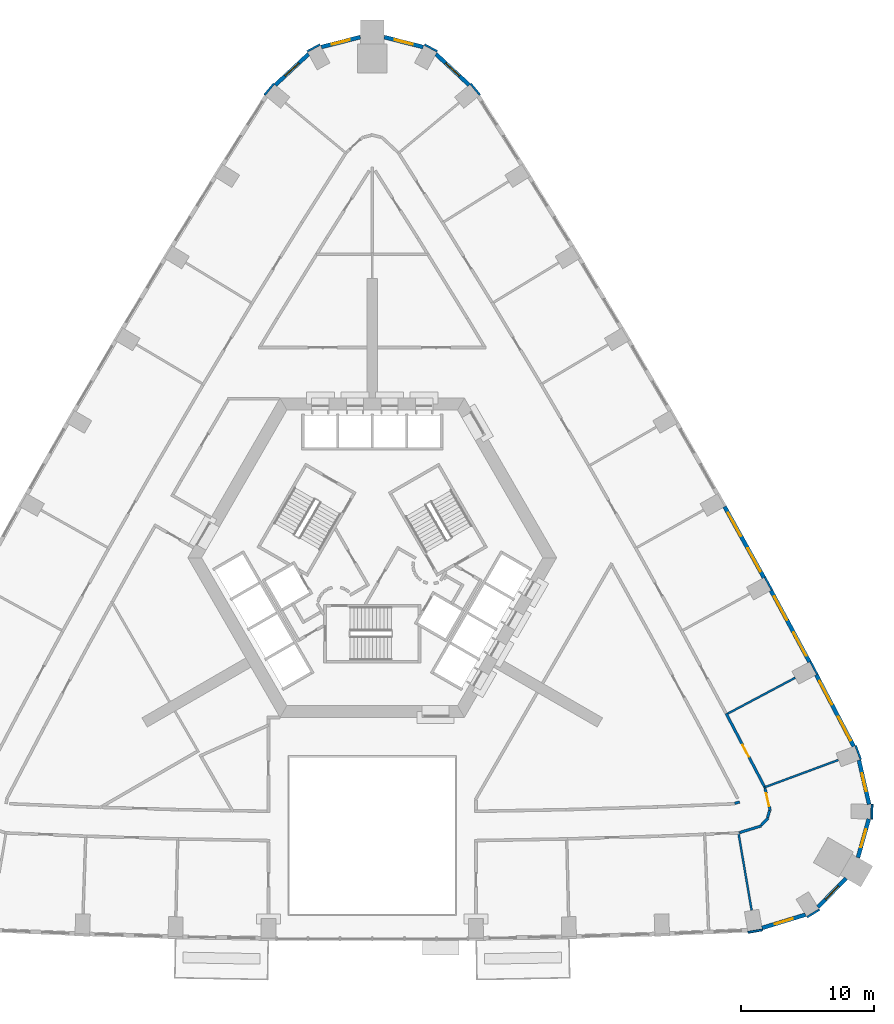
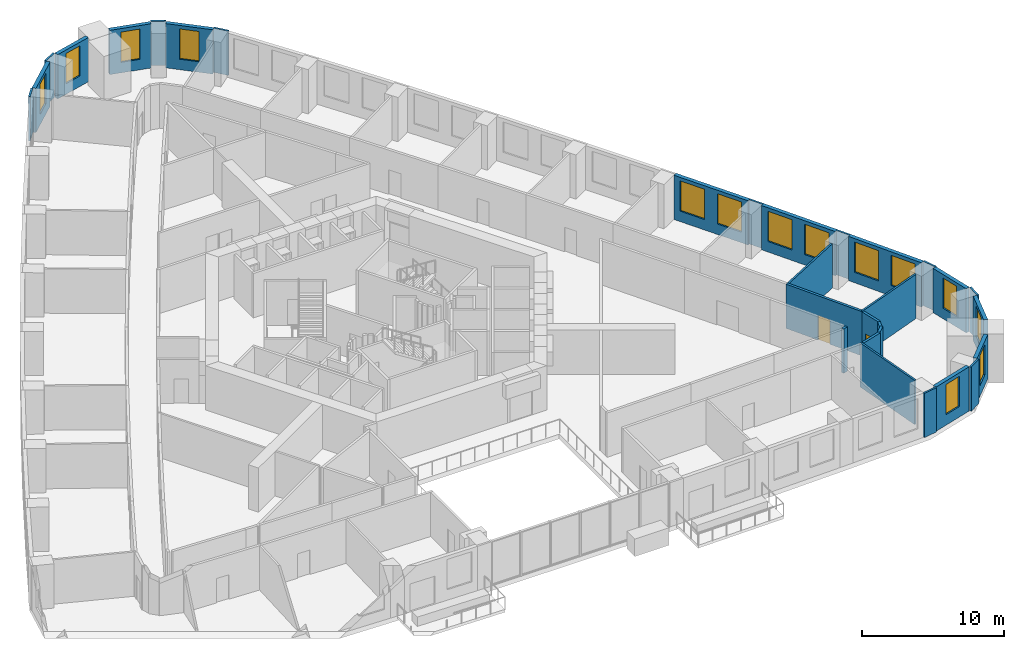
# One storey, part 11 of 13: 30 walls, 14 windows, 2 doors, 16 openings.
"""IFC4 building model written with IfcOpenShell, lengths in metres."""

from ifc_helpers import new_model, si_unit, direction, frame, frame_2d, origin, place, context, subcontext, project, spatial, rectangle, extrude, material, layer, layer_set, type_object, element, fill, save


model = new_model("IFC4")

# Units and contexts
model_context = context("Model", 3, precision=1e-05, world=origin(), true_north=direction((0.0, 1.0)))
body_context = subcontext(model_context, "Body", "Model", "MODEL_VIEW")
ifc_project = project(units=[si_unit("LENGTHUNIT", "METRE"), si_unit("AREAUNIT", "SQUARE_METRE"), si_unit("VOLUMEUNIT", "CUBIC_METRE"), si_unit("PLANEANGLEUNIT", "RADIAN"), si_unit("MASSUNIT", "GRAM", prefix="KILO")], contexts=[model_context])

# Site, building, storey
site_placement = place(None, origin())
site = spatial("IfcSite", under=ifc_project, at=site_placement, CompositionType="ELEMENT")
building_placement = place(site_placement, origin())
building = spatial("IfcBuilding", under=site, at=building_placement, Name="Entoto Arch Interchange Tower", CompositionType="ELEMENT")
storey_placement = place(building_placement, frame((0.0, 0.0, 90.800048828125)))
storey = spatial("IfcBuildingStorey", under=building, at=storey_placement, Name="L19", CompositionType="ELEMENT", Elevation=90.800048828125)

# Walls
ifc_material_1 = material(Name="Gypsum board partition on steel studs", Category="steel")
ifc_layer_1 = layer(ifc_material_1, 0.14990234375)
ifc_layer_set_1 = layer_set([ifc_layer_1], Name="Gypsum board partition on steel studs")
wall_type_1 = type_object("IfcWallType", Name="PARTITION 150", PredefinedType="PARTITIONING", material=ifc_layer_set_1)
wall_1_placement = place(storey_placement, frame((27.49609375, -18.073974609375, 0.0), z_axis=(0.0, 0.0, 1.0), x_axis=(0.168025125373, -0.985782712997, 0.0)))
element("IfcWall", 1, at=wall_1_placement, inside=storey, type_object=wall_type_1, Name="wall:L19:p113", PredefinedType="PARTITIONING", context=body_context, shape_type="SweptSolid", body=[
    extrude(rectangle(XDim=5.9921875, YDim=0.14990234375, at=frame_2d((2.99609375, 0.0))), origin(), (0.0, 0.0, 1.0), 3.800048828125),
])
wall_2_placement = place(storey_placement, frame((29.493896484375, -14.740966796875, 0.0), z_axis=(0.0, 0.0, 1.0), x_axis=(0.937719767819, 0.347392626636, 0.0)))
element("IfcWall", 2, at=wall_2_placement, inside=storey, type_object=wall_type_1, Name="wall:L19:p114", PredefinedType="PARTITIONING", context=body_context, shape_type="SweptSolid", body=[
    extrude(rectangle(XDim=5.89208984375, YDim=0.14990234375, at=frame_2d((2.946044921875, 0.0))), origin(), (0.0, 0.0, 1.0), 3.800048828125),
])
wall_3_placement = place(storey_placement, frame((26.708984375, -9.2109375, 0.0), z_axis=(0.0, 0.0, 1.0), x_axis=(0.883057238515, 0.46926529118, 0.0)))
element("IfcWall", 3, at=wall_3_placement, inside=storey, type_object=wall_type_1, Name="wall:L19:p115", PredefinedType="PARTITIONING", context=body_context, shape_type="SweptSolid", body=[
    extrude(rectangle(XDim=5.730224609375, YDim=0.14990234375, at=frame_2d((2.865234375, 0.0))), origin(), (0.0, 0.0, 1.0), 3.800048828125),
])
ifc_layer_2 = layer(ifc_material_1, 0.199951171875)
ifc_layer_set_2 = layer_set([ifc_layer_2], Name="Gypsum board partition on steel studs")
wall_type_2 = type_object("IfcWallType", Name="PARTITION 200", PredefinedType="PARTITIONING", material=ifc_layer_set_2)
wall_4_placement = place(storey_placement, frame((27.235107421875, -15.95703125, 0.0), z_axis=(0.0, 0.0, 1.0), x_axis=(0.956017741345, 0.293308844453, 0.0)))
element("IfcWall", 4, at=wall_4_placement, inside=storey, type_object=wall_type_2, Name="wall:L19:p015", PredefinedType="PARTITIONING", context=body_context, shape_type="SweptSolid", body=[
    extrude(rectangle(XDim=0.37548828125, YDim=0.199951171875, at=frame_2d((0.187744140625, 0.0))), origin(), (0.0, 0.0, 1.0), 3.800048828125),
])

# Wall, opening, door
wall_5_placement = place(storey_placement, frame((29.51708984375, -14.837890625, 0.0), z_axis=(0.0, 0.0, 1.0), x_axis=(0.224316169854, -0.974516421587, 0.0)))
wall_5 = element("IfcWall", 5, at=wall_5_placement, inside=storey, type_object=wall_type_2, Name="wall:L19:p035", PredefinedType="PARTITIONING", context=body_context, shape_type="SweptSolid", body=[
    extrude(rectangle(XDim=1.70654296875, YDim=0.199951171875, at=frame_2d((0.853271484375, 0.0))), origin(), (0.0, 0.0, 1.0), 3.800048828125),
])
opening_1_placement = place(wall_5_placement, frame((0.35302734375, 0.0, 0.0)))
opening_1 = element("IfcOpeningElement", 6, at=opening_1_placement, cuts=wall_5, Name="Opening L19-D04", PredefinedType="OPENING", context=body_context, shape_type="SweptSolid", body=[
    extrude(rectangle(XDim=1.0, YDim=2.10009765625, at=frame_2d((0.5, 1.050048828125))), frame((0.0, 0.10986328125, 0.0), z_axis=(0.0, -1.0, 0.0), x_axis=(1.0, 0.0, 0.0)), (0.0, 0.0, 1.0), 0.219970703125),
])
ifc_material_2 = material(Name="Timber door leaf in Steel S235 frame", Category="steel")
door_type = type_object("IfcDoorType", Name="DOOR DS-10 1000x2100", OperationType="SINGLE_SWING_LEFT", PredefinedType="DOOR", material=ifc_material_2)
door_1_placement = place(opening_1_placement, origin())
door_1 = element("IfcDoor", 7, at=door_1_placement, inside=storey, type_object=door_type, Name="door:L19:04", OperationType="SINGLE_SWING_RIGHT", OverallHeight=2.10009765625, OverallWidth=1.0, PredefinedType="DOOR", context=body_context, shape_type="SweptSolid", body=[
    extrude(rectangle(XDim=1.0, YDim=2.10009765625, at=frame_2d((0.5, 1.050048828125))), frame((0.0, 0.02490234375, 0.0), z_axis=(0.0, -1.0, 0.0), x_axis=(1.0, 0.0, 0.0)), (0.0, 0.0, 1.0), 0.050048828125),
])
fill(opening_1, door_1)

# Walls
wall_6_placement = place(storey_placement, frame((29.85107421875, -16.5, 0.0), z_axis=(0.0, 0.0, 1.0), x_axis=(-0.269792639482, -0.962918444979, 0.0)))
element("IfcWall", 8, at=wall_6_placement, inside=storey, type_object=wall_type_2, Name="wall:L19:p036", PredefinedType="PARTITIONING", context=body_context, shape_type="SweptSolid", body=[
    extrude(rectangle(XDim=0.556640625, YDim=0.199951171875, at=frame_2d((0.2783203125, 0.0))), origin(), (0.0, 0.0, 1.0), 3.800048828125),
])
wall_7_placement = place(storey_placement, frame((29.742919921875, -17.06103515625, 0.0), z_axis=(0.0, 0.0, 1.0), x_axis=(-0.698331924638, -0.715774072617, 0.0)))
element("IfcWall", 9, at=wall_7_placement, inside=storey, type_object=wall_type_2, Name="wall:L19:p037", PredefinedType="PARTITIONING", context=body_context, shape_type="SweptSolid", body=[
    extrude(rectangle(XDim=0.755859375, YDim=0.199951171875, at=frame_2d((0.3779296875, 0.0))), origin(), (0.0, 0.0, 1.0), 3.800048828125),
])
wall_8_placement = place(storey_placement, frame((29.239990234375, -17.64404296875, 0.0), z_axis=(0.0, 0.0, 1.0), x_axis=(-0.956137025409, -0.292919764852, 0.0)))
element("IfcWall", 10, at=wall_8_placement, inside=storey, type_object=wall_type_2, Name="wall:L19:p038", PredefinedType="PARTITIONING", context=body_context, shape_type="SweptSolid", body=[
    extrude(rectangle(XDim=1.70703125, YDim=0.199951171875, at=frame_2d((0.853515625, 0.0))), origin(), (0.0, 0.0, 1.0), 3.800048828125),
])

# Wall, opening, door
wall_9_placement = place(storey_placement, frame((26.5859375, -9.19091796875, 0.0), z_axis=(0.0, 0.0, 1.0), x_axis=(0.46422194761, -0.885718907643, 0.0)))
wall_9 = element("IfcWall", 11, at=wall_9_placement, inside=storey, type_object=wall_type_2, Name="wall:L19:p039", PredefinedType="PARTITIONING", context=body_context, shape_type="SweptSolid", body=[
    extrude(rectangle(XDim=6.36572265625, YDim=0.199951171875, at=frame_2d((3.182861328125, 0.0))), origin(), (0.0, 0.0, 1.0), 3.800048828125),
])
opening_2_placement = place(wall_9_placement, frame((2.68310546875, 0.0, 0.0)))
opening_2 = element("IfcOpeningElement", 12, at=opening_2_placement, cuts=wall_9, Name="Opening L19-D05", PredefinedType="OPENING", context=body_context, shape_type="SweptSolid", body=[
    extrude(rectangle(XDim=1.0, YDim=2.10009765625, at=frame_2d((0.5, 1.050048828125))), frame((0.0, 0.10986328125, 0.0), z_axis=(0.0, -1.0, 0.0), x_axis=(1.0, 0.0, 0.0)), (0.0, 0.0, 1.0), 0.219970703125),
])
door_2_placement = place(opening_2_placement, origin())
door_2 = element("IfcDoor", 13, at=door_2_placement, inside=storey, type_object=door_type, Name="door:L19:05", OperationType="SINGLE_SWING_LEFT", OverallHeight=2.10009765625, OverallWidth=1.0, PredefinedType="DOOR", context=body_context, shape_type="SweptSolid", body=[
    extrude(rectangle(XDim=1.0, YDim=2.10009765625, at=frame_2d((0.5, 1.050048828125))), frame((0.0, 0.02490234375, 0.0), z_axis=(0.0, -1.0, 0.0), x_axis=(1.0, 0.0, 0.0)), (0.0, 0.0, 1.0), 0.050048828125),
])
fill(opening_2, door_2)

# Wall, opening, window
ifc_material_3 = material(Name="Welded tuff (ignimbrite) cladding, warm buff", Category="masonry")
ifc_layer_3 = layer(ifc_material_3, 0.300048828125)
ifc_layer_set_3 = layer_set([ifc_layer_3], Name="Welded tuff (ignimbrite) cladding, warm buff")
wall_type_3 = type_object("IfcWallType", Name="STONE INFILL WALL 300", PredefinedType="STANDARD", material=ifc_layer_set_3)
wall_10_placement = place(storey_placement, frame((29.2880859375, -25.31591796875, 0.0), z_axis=(0.0, 0.0, 1.0), x_axis=(0.956317661006, 0.292329490895, 0.0)))
wall_10 = element("IfcWall", 14, at=wall_10_placement, inside=storey, type_object=wall_type_3, Name="Facade wall SE-01 L19", PredefinedType="STANDARD", context=body_context, shape_type="SweptSolid", body=[
    extrude(rectangle(XDim=3.409912109375, YDim=0.300048828125, at=frame_2d((1.705078125, 0.0))), origin(), (0.0, 0.0, 1.0), 3.800048828125),
])
opening_3_placement = place(wall_10_placement, frame((1.0048828125, 0.0, 0.89990234375)))
opening_3 = element("IfcOpeningElement", 15, at=opening_3_placement, cuts=wall_10, Name="Opening WO-B", PredefinedType="OPENING", context=body_context, shape_type="SweptSolid", body=[
    extrude(rectangle(XDim=1.39990234375, YDim=2.60009765625, at=frame_2d((0.699951171875, 1.300048828125))), frame((0.0, 0.16015625, 0.0), z_axis=(0.0, -1.0, 0.0), x_axis=(1.0, 0.0, 0.0)), (0.0, 0.0, 1.0), 0.320068359375),
])
ifc_material_4 = material(Name="Clear glass, low-e double glazed", Category="glass")
window_type_1 = type_object("IfcWindowType", Name="WINDOW WO-B 1400x2600", PartitioningType="DOUBLE_PANEL_VERTICAL", PredefinedType="WINDOW", material=ifc_material_4)
window_1_placement = place(opening_3_placement, origin())
window_1 = element("IfcWindow", 16, at=window_1_placement, inside=storey, type_object=window_type_1, Name="Window WO-B SE-01 L19", OverallHeight=2.60009765625, OverallWidth=1.39990234375, PartitioningType="SINGLE_PANEL", PredefinedType="WINDOW", context=body_context, shape_type="SweptSolid", body=[
    extrude(rectangle(XDim=1.39990234375, YDim=2.60009765625, at=frame_2d((0.699951171875, 1.300048828125))), frame((0.0, 0.030029296875, 0.0), z_axis=(0.0, -1.0, 0.0), x_axis=(1.0, 0.0, 0.0)), (0.0, 0.0, 1.0), 0.06005859375),
])
fill(opening_3, window_1)

wall_11_placement = place(storey_placement, frame((33.486083984375, -23.7470703125, 0.0), z_axis=(0.0, 0.0, 1.0), x_axis=(0.698928244773, 0.715191798512, 0.0)))
wall_11 = element("IfcWall", 17, at=wall_11_placement, inside=storey, type_object=wall_type_3, Name="Facade wall SE-02 L19", PredefinedType="STANDARD", context=body_context, shape_type="SweptSolid", body=[
    extrude(rectangle(XDim=3.017333984375, YDim=0.300048828125, at=frame_2d((1.5087890625, 0.0))), origin(), (0.0, 0.0, 1.0), 3.800048828125),
])
opening_4_placement = place(wall_11_placement, frame((0.80908203125, 0.0, 0.89990234375)))
opening_4 = element("IfcOpeningElement", 18, at=opening_4_placement, cuts=wall_11, Name="Opening WO-B", PredefinedType="OPENING", context=body_context, shape_type="SweptSolid", body=[
    extrude(rectangle(XDim=1.39990234375, YDim=2.60009765625, at=frame_2d((0.699951171875, 1.300048828125))), frame((0.0, 0.16015625, 0.0), z_axis=(0.0, -1.0, 0.0), x_axis=(1.0, 0.0, 0.0)), (0.0, 0.0, 1.0), 0.320068359375),
])
window_2_placement = place(opening_4_placement, origin())
window_2 = element("IfcWindow", 19, at=window_2_placement, inside=storey, type_object=window_type_1, Name="Window WO-B SE-02 L19", OverallHeight=2.60009765625, OverallWidth=1.39990234375, PartitioningType="SINGLE_PANEL", PredefinedType="WINDOW", context=body_context, shape_type="SweptSolid", body=[
    extrude(rectangle(XDim=1.39990234375, YDim=2.60009765625, at=frame_2d((0.699951171875, 1.300048828125))), frame((0.0, 0.030029296875, 0.0), z_axis=(0.0, -1.0, 0.0), x_axis=(1.0, 0.0, 0.0)), (0.0, 0.0, 1.0), 0.06005859375),
])
fill(opening_4, window_2)

wall_12_placement = place(storey_placement, frame((36.493896484375, -20.031982421875, 0.0), z_axis=(0.0, 0.0, 1.0), x_axis=(0.270176120308, 0.962810918102, 0.0)))
wall_12 = element("IfcWall", 20, at=wall_12_placement, inside=storey, type_object=wall_type_3, Name="Facade wall SE-03 L19", PredefinedType="STANDARD", context=body_context, shape_type="SweptSolid", body=[
    extrude(rectangle(XDim=3.017333984375, YDim=0.300048828125, at=frame_2d((1.5087890625, 0.0))), origin(), (0.0, 0.0, 1.0), 3.800048828125),
])
opening_5_placement = place(wall_12_placement, frame((0.80908203125, 0.0, 0.89990234375)))
opening_5 = element("IfcOpeningElement", 21, at=opening_5_placement, cuts=wall_12, Name="Opening WO-B", PredefinedType="OPENING", context=body_context, shape_type="SweptSolid", body=[
    extrude(rectangle(XDim=1.39990234375, YDim=2.60009765625, at=frame_2d((0.699951171875, 1.300048828125))), frame((0.0, 0.16015625, 0.0), z_axis=(0.0, -1.0, 0.0), x_axis=(1.0, 0.0, 0.0)), (0.0, 0.0, 1.0), 0.320068359375),
])
window_3_placement = place(opening_5_placement, origin())
window_3 = element("IfcWindow", 22, at=window_3_placement, inside=storey, type_object=window_type_1, Name="Window WO-B SE-03 L19", OverallHeight=2.60009765625, OverallWidth=1.39990234375, PartitioningType="SINGLE_PANEL", PredefinedType="WINDOW", context=body_context, shape_type="SweptSolid", body=[
    extrude(rectangle(XDim=1.39990234375, YDim=2.60009765625, at=frame_2d((0.699951171875, 1.300048828125))), frame((0.0, 0.030029296875, 0.0), z_axis=(0.0, -1.0, 0.0), x_axis=(1.0, 0.0, 0.0)), (0.0, 0.0, 1.0), 0.06005859375),
])
fill(opening_5, window_3)

wall_13_placement = place(storey_placement, frame((37.3349609375, -16.029052734375, 0.0), z_axis=(0.0, 0.0, 1.0), x_axis=(-0.224859506699, 0.974391195695, 0.0)))
wall_13 = element("IfcWall", 23, at=wall_13_placement, inside=storey, type_object=wall_type_3, Name="Facade wall SE-04 L19", PredefinedType="STANDARD", context=body_context, shape_type="SweptSolid", body=[
    extrude(rectangle(XDim=3.410400390625, YDim=0.300048828125, at=frame_2d((1.705078125, 0.0))), origin(), (0.0, 0.0, 1.0), 3.800048828125),
])
opening_6_placement = place(wall_13_placement, frame((1.0048828125, 0.0, 0.89990234375)))
opening_6 = element("IfcOpeningElement", 24, at=opening_6_placement, cuts=wall_13, Name="Opening WO-B", PredefinedType="OPENING", context=body_context, shape_type="SweptSolid", body=[
    extrude(rectangle(XDim=1.39990234375, YDim=2.60009765625, at=frame_2d((0.699951171875, 1.300048828125))), frame((0.0, 0.16015625, 0.0), z_axis=(0.0, -1.0, 0.0), x_axis=(1.0, 0.0, 0.0)), (0.0, 0.0, 1.0), 0.320068359375),
])
window_4_placement = place(opening_6_placement, origin())
window_4 = element("IfcWindow", 25, at=window_4_placement, inside=storey, type_object=window_type_1, Name="Window WO-B SE-04 L19", OverallHeight=2.60009765625, OverallWidth=1.39990234375, PartitioningType="SINGLE_PANEL", PredefinedType="WINDOW", context=body_context, shape_type="SweptSolid", body=[
    extrude(rectangle(XDim=1.39990234375, YDim=2.60009765625, at=frame_2d((0.699951171875, 1.300048828125))), frame((0.0, 0.030029296875, 0.0), z_axis=(0.0, -1.0, 0.0), x_axis=(1.0, 0.0, 0.0)), (0.0, 0.0, 1.0), 0.06005859375),
])
fill(opening_6, window_4)

# Wall, openings, windows
wall_14_placement = place(storey_placement, frame((36.18603515625, -11.676025390625, 0.0), z_axis=(0.0, 0.0, 1.0), x_axis=(-0.464187178015, 0.885737130173, 0.0)))
wall_14 = element("IfcWall", 26, at=wall_14_placement, inside=storey, type_object=wall_type_3, Name="Facade wall NE-01 L19", PredefinedType="STANDARD", context=body_context, shape_type="SweptSolid", body=[
    extrude(rectangle(XDim=6.0751953125, YDim=0.300048828125, at=frame_2d((3.03759765625, 0.0))), origin(), (0.0, 0.0, 1.0), 3.800048828125),
])
opening_7_placement = place(wall_14_placement, frame((0.51904296875, 0.0, 0.89990234375)))
opening_7 = element("IfcOpeningElement", 27, at=opening_7_placement, cuts=wall_14, Name="Opening WO-C", PredefinedType="OPENING", context=body_context, shape_type="SweptSolid", body=[
    extrude(rectangle(XDim=2.0, YDim=2.60009765625, at=frame_2d((1.0, 1.300048828125))), frame((0.0, 0.16015625, 0.0), z_axis=(0.0, -1.0, 0.0), x_axis=(1.0, 0.0, 0.0)), (0.0, 0.0, 1.0), 0.320068359375),
])
opening_8_placement = place(wall_14_placement, frame((3.555908203125, 0.0, 0.89990234375)))
opening_8 = element("IfcOpeningElement", 28, at=opening_8_placement, cuts=wall_14, Name="Opening WO-C", PredefinedType="OPENING", context=body_context, shape_type="SweptSolid", body=[
    extrude(rectangle(XDim=2.0, YDim=2.60009765625, at=frame_2d((1.0, 1.300048828125))), frame((0.0, 0.16015625, 0.0), z_axis=(0.0, -1.0, 0.0), x_axis=(1.0, 0.0, 0.0)), (0.0, 0.0, 1.0), 0.320068359375),
])
window_type_2 = type_object("IfcWindowType", Name="WINDOW WO-C 2000x2600", PartitioningType="DOUBLE_PANEL_VERTICAL", PredefinedType="WINDOW", material=ifc_material_4)
window_5_placement = place(opening_7_placement, origin())
window_5 = element("IfcWindow", 29, at=window_5_placement, inside=storey, type_object=window_type_2, Name="Window WO-C NE-01 L19", OverallHeight=2.60009765625, OverallWidth=2.0, PartitioningType="SINGLE_PANEL", PredefinedType="WINDOW", context=body_context, shape_type="SweptSolid", body=[
    extrude(rectangle(XDim=2.0, YDim=2.60009765625, at=frame_2d((1.0, 1.300048828125))), frame((0.0, 0.030029296875, 0.0), z_axis=(0.0, -1.0, 0.0), x_axis=(1.0, 0.0, 0.0)), (0.0, 0.0, 1.0), 0.06005859375),
])
fill(opening_7, window_5)
window_6_placement = place(opening_8_placement, origin())
window_6 = element("IfcWindow", 30, at=window_6_placement, inside=storey, type_object=window_type_2, Name="Window WO-C NE-01 L19", OverallHeight=2.60009765625, OverallWidth=2.0, PartitioningType="SINGLE_PANEL", PredefinedType="WINDOW", context=body_context, shape_type="SweptSolid", body=[
    extrude(rectangle(XDim=2.0, YDim=2.60009765625, at=frame_2d((1.0, 1.300048828125))), frame((0.0, 0.030029296875, 0.0), z_axis=(0.0, -1.0, 0.0), x_axis=(1.0, 0.0, 0.0)), (0.0, 0.0, 1.0), 0.06005859375),
])
fill(opening_8, window_6)

wall_15_placement = place(storey_placement, frame((32.85107421875, -5.324951171875, 0.0), z_axis=(0.0, 0.0, 1.0), x_axis=(-0.474369552216, 0.880325807829, 0.0)))
wall_15 = element("IfcWall", 31, at=wall_15_placement, inside=storey, type_object=wall_type_3, Name="Facade wall NE-02 L19", PredefinedType="STANDARD", context=body_context, shape_type="SweptSolid", body=[
    extrude(rectangle(XDim=6.098876953125, YDim=0.300048828125, at=frame_2d((3.04931640625, 0.0))), origin(), (0.0, 0.0, 1.0), 3.800048828125),
])
opening_9_placement = place(wall_15_placement, frame((0.52490234375, 0.0, 0.89990234375)))
opening_9 = element("IfcOpeningElement", 32, at=opening_9_placement, cuts=wall_15, Name="Opening WO-C", PredefinedType="OPENING", context=body_context, shape_type="SweptSolid", body=[
    extrude(rectangle(XDim=2.0, YDim=2.60009765625, at=frame_2d((1.0, 1.300048828125))), frame((0.0, 0.16015625, 0.0), z_axis=(0.0, -1.0, 0.0), x_axis=(1.0, 0.0, 0.0)), (0.0, 0.0, 1.0), 0.320068359375),
])
opening_10_placement = place(wall_15_placement, frame((3.573974609375, 0.0, 0.89990234375)))
opening_10 = element("IfcOpeningElement", 33, at=opening_10_placement, cuts=wall_15, Name="Opening WO-C", PredefinedType="OPENING", context=body_context, shape_type="SweptSolid", body=[
    extrude(rectangle(XDim=2.0, YDim=2.60009765625, at=frame_2d((1.0, 1.300048828125))), frame((0.0, 0.16015625, 0.0), z_axis=(0.0, -1.0, 0.0), x_axis=(1.0, 0.0, 0.0)), (0.0, 0.0, 1.0), 0.320068359375),
])
window_7_placement = place(opening_9_placement, origin())
window_7 = element("IfcWindow", 34, at=window_7_placement, inside=storey, type_object=window_type_2, Name="Window WO-C NE-02 L19", OverallHeight=2.60009765625, OverallWidth=2.0, PartitioningType="SINGLE_PANEL", PredefinedType="WINDOW", context=body_context, shape_type="SweptSolid", body=[
    extrude(rectangle(XDim=2.0, YDim=2.60009765625, at=frame_2d((1.0, 1.300048828125))), frame((0.0, 0.030029296875, 0.0), z_axis=(0.0, -1.0, 0.0), x_axis=(1.0, 0.0, 0.0)), (0.0, 0.0, 1.0), 0.06005859375),
])
fill(opening_9, window_7)
window_8_placement = place(opening_10_placement, origin())
window_8 = element("IfcWindow", 35, at=window_8_placement, inside=storey, type_object=window_type_2, Name="Window WO-C NE-02 L19", OverallHeight=2.60009765625, OverallWidth=2.0, PartitioningType="SINGLE_PANEL", PredefinedType="WINDOW", context=body_context, shape_type="SweptSolid", body=[
    extrude(rectangle(XDim=2.0, YDim=2.60009765625, at=frame_2d((1.0, 1.300048828125))), frame((0.0, 0.030029296875, 0.0), z_axis=(0.0, -1.0, 0.0), x_axis=(1.0, 0.0, 0.0)), (0.0, 0.0, 1.0), 0.06005859375),
])
fill(opening_10, window_8)

wall_16_placement = place(storey_placement, frame((29.430908203125, 1.007080078125, 0.0), z_axis=(0.0, 0.0, 1.0), x_axis=(-0.484823579315, 0.874611969356, 0.0)))
wall_16 = element("IfcWall", 36, at=wall_16_placement, inside=storey, type_object=wall_type_3, Name="Facade wall NE-03 L19", PredefinedType="STANDARD", context=body_context, shape_type="SweptSolid", body=[
    extrude(rectangle(XDim=6.0986328125, YDim=0.300048828125, at=frame_2d((3.04931640625, 0.0))), origin(), (0.0, 0.0, 1.0), 3.800048828125),
])
opening_11_placement = place(wall_16_placement, frame((0.52490234375, 0.0, 0.89990234375)))
opening_11 = element("IfcOpeningElement", 37, at=opening_11_placement, cuts=wall_16, Name="Opening WO-C", PredefinedType="OPENING", context=body_context, shape_type="SweptSolid", body=[
    extrude(rectangle(XDim=2.0, YDim=2.60009765625, at=frame_2d((1.0, 1.300048828125))), frame((0.0, 0.16015625, 0.0), z_axis=(0.0, -1.0, 0.0), x_axis=(1.0, 0.0, 0.0)), (0.0, 0.0, 1.0), 0.320068359375),
])
opening_12_placement = place(wall_16_placement, frame((3.573974609375, 0.0, 0.89990234375)))
opening_12 = element("IfcOpeningElement", 38, at=opening_12_placement, cuts=wall_16, Name="Opening WO-C", PredefinedType="OPENING", context=body_context, shape_type="SweptSolid", body=[
    extrude(rectangle(XDim=2.0, YDim=2.60009765625, at=frame_2d((1.0, 1.300048828125))), frame((0.0, 0.16015625, 0.0), z_axis=(0.0, -1.0, 0.0), x_axis=(1.0, 0.0, 0.0)), (0.0, 0.0, 1.0), 0.320068359375),
])
window_9_placement = place(opening_11_placement, origin())
window_9 = element("IfcWindow", 39, at=window_9_placement, inside=storey, type_object=window_type_2, Name="Window WO-C NE-03 L19", OverallHeight=2.60009765625, OverallWidth=2.0, PartitioningType="SINGLE_PANEL", PredefinedType="WINDOW", context=body_context, shape_type="SweptSolid", body=[
    extrude(rectangle(XDim=2.0, YDim=2.60009765625, at=frame_2d((1.0, 1.300048828125))), frame((0.0, 0.030029296875, 0.0), z_axis=(0.0, -1.0, 0.0), x_axis=(1.0, 0.0, 0.0)), (0.0, 0.0, 1.0), 0.06005859375),
])
fill(opening_11, window_9)
window_10_placement = place(opening_12_placement, origin())
window_10 = element("IfcWindow", 40, at=window_10_placement, inside=storey, type_object=window_type_2, Name="Window WO-C NE-03 L19", OverallHeight=2.60009765625, OverallWidth=2.0, PartitioningType="SINGLE_PANEL", PredefinedType="WINDOW", context=body_context, shape_type="SweptSolid", body=[
    extrude(rectangle(XDim=2.0, YDim=2.60009765625, at=frame_2d((1.0, 1.300048828125))), frame((0.0, 0.030029296875, 0.0), z_axis=(0.0, -1.0, 0.0), x_axis=(1.0, 0.0, 0.0)), (0.0, 0.0, 1.0), 0.06005859375),
])
fill(opening_12, window_10)

# Wall, opening, window
wall_17_placement = place(storey_placement, frame((7.281005859375, 38.02197265625, 0.0), z_axis=(0.0, 0.0, 1.0), x_axis=(-0.731614451791, 0.681718632525, 0.0)))
wall_17 = element("IfcWall", 41, at=wall_17_placement, inside=storey, type_object=wall_type_3, Name="Facade wall N-01 L19", PredefinedType="STANDARD", context=body_context, shape_type="SweptSolid", body=[
    extrude(rectangle(XDim=3.410400390625, YDim=0.300048828125, at=frame_2d((1.705078125, 0.0))), origin(), (0.0, 0.0, 1.0), 3.800048828125),
])
opening_13_placement = place(wall_17_placement, frame((1.0048828125, 0.0, 0.89990234375)))
opening_13 = element("IfcOpeningElement", 42, at=opening_13_placement, cuts=wall_17, Name="Opening WO-B", PredefinedType="OPENING", context=body_context, shape_type="SweptSolid", body=[
    extrude(rectangle(XDim=1.39990234375, YDim=2.60009765625, at=frame_2d((0.699951171875, 1.300048828125))), frame((0.0, 0.16015625, 0.0), z_axis=(0.0, -1.0, 0.0), x_axis=(1.0, 0.0, 0.0)), (0.0, 0.0, 1.0), 0.320068359375),
])
window_11_placement = place(opening_13_placement, origin())
window_11 = element("IfcWindow", 43, at=window_11_placement, inside=storey, type_object=window_type_1, Name="Window WO-B N-01 L19", OverallHeight=2.60009765625, OverallWidth=1.39990234375, PartitioningType="SINGLE_PANEL", PredefinedType="WINDOW", context=body_context, shape_type="SweptSolid", body=[
    extrude(rectangle(XDim=1.39990234375, YDim=2.60009765625, at=frame_2d((0.699951171875, 1.300048828125))), frame((0.0, 0.030029296875, 0.0), z_axis=(0.0, -1.0, 0.0), x_axis=(1.0, 0.0, 0.0)), (0.0, 0.0, 1.0), 0.06005859375),
])
fill(opening_13, window_11)

wall_18_placement = place(storey_placement, frame((3.822998046875, 40.873046875, 0.0), z_axis=(0.0, 0.0, 1.0), x_axis=(-0.96887809306, 0.247538362258, 0.0)))
wall_18 = element("IfcWall", 44, at=wall_18_placement, inside=storey, type_object=wall_type_3, Name="Facade wall N-02 L19", PredefinedType="STANDARD", context=body_context, shape_type="SweptSolid", body=[
    extrude(rectangle(XDim=3.01806640625, YDim=0.300048828125, at=frame_2d((1.509033203125, 0.0))), origin(), (0.0, 0.0, 1.0), 3.800048828125),
])
opening_14_placement = place(wall_18_placement, frame((0.80908203125, 0.0, 0.89990234375)))
opening_14 = element("IfcOpeningElement", 45, at=opening_14_placement, cuts=wall_18, Name="Opening WO-B", PredefinedType="OPENING", context=body_context, shape_type="SweptSolid", body=[
    extrude(rectangle(XDim=1.39990234375, YDim=2.60009765625, at=frame_2d((0.699951171875, 1.300048828125))), frame((0.0, 0.16015625, 0.0), z_axis=(0.0, -1.0, 0.0), x_axis=(1.0, 0.0, 0.0)), (0.0, 0.0, 1.0), 0.320068359375),
])
window_12_placement = place(opening_14_placement, origin())
window_12 = element("IfcWindow", 46, at=window_12_placement, inside=storey, type_object=window_type_1, Name="Window WO-B N-02 L19", OverallHeight=2.60009765625, OverallWidth=1.39990234375, PartitioningType="SINGLE_PANEL", PredefinedType="WINDOW", context=body_context, shape_type="SweptSolid", body=[
    extrude(rectangle(XDim=1.39990234375, YDim=2.60009765625, at=frame_2d((0.699951171875, 1.300048828125))), frame((0.0, 0.030029296875, 0.0), z_axis=(0.0, -1.0, 0.0), x_axis=(1.0, 0.0, 0.0)), (0.0, 0.0, 1.0), 0.06005859375),
])
fill(opening_14, window_12)

wall_19_placement = place(storey_placement, frame((-0.89892578125, 41.6201171875, 0.0), z_axis=(0.0, 0.0, 1.0), x_axis=(-0.96887809306, -0.247538362258, 0.0)))
wall_19 = element("IfcWall", 47, at=wall_19_placement, inside=storey, type_object=wall_type_3, Name="Facade wall N-03 L19", PredefinedType="STANDARD", context=body_context, shape_type="SweptSolid", body=[
    extrude(rectangle(XDim=3.01806640625, YDim=0.300048828125, at=frame_2d((1.509033203125, 0.0))), origin(), (0.0, 0.0, 1.0), 3.800048828125),
])
opening_15_placement = place(wall_19_placement, frame((0.80908203125, 0.0, 0.89990234375)))
opening_15 = element("IfcOpeningElement", 48, at=opening_15_placement, cuts=wall_19, Name="Opening WO-B", PredefinedType="OPENING", context=body_context, shape_type="SweptSolid", body=[
    extrude(rectangle(XDim=1.39990234375, YDim=2.60009765625, at=frame_2d((0.699951171875, 1.300048828125))), frame((0.0, 0.16015625, 0.0), z_axis=(0.0, -1.0, 0.0), x_axis=(1.0, 0.0, 0.0)), (0.0, 0.0, 1.0), 0.320068359375),
])
window_13_placement = place(opening_15_placement, origin())
window_13 = element("IfcWindow", 49, at=window_13_placement, inside=storey, type_object=window_type_1, Name="Window WO-B N-03 L19", OverallHeight=2.60009765625, OverallWidth=1.39990234375, PartitioningType="SINGLE_PANEL", PredefinedType="WINDOW", context=body_context, shape_type="SweptSolid", body=[
    extrude(rectangle(XDim=1.39990234375, YDim=2.60009765625, at=frame_2d((0.699951171875, 1.300048828125))), frame((0.0, 0.030029296875, 0.0), z_axis=(0.0, -1.0, 0.0), x_axis=(1.0, 0.0, 0.0)), (0.0, 0.0, 1.0), 0.06005859375),
])
fill(opening_15, window_13)

wall_20_placement = place(storey_placement, frame((-4.785888671875, 40.346923828125, 0.0), z_axis=(0.0, 0.0, 1.0), x_axis=(-0.731614451791, -0.681718632525, 0.0)))
wall_20 = element("IfcWall", 50, at=wall_20_placement, inside=storey, type_object=wall_type_3, Name="Facade wall N-04 L19", PredefinedType="STANDARD", context=body_context, shape_type="SweptSolid", body=[
    extrude(rectangle(XDim=3.410400390625, YDim=0.300048828125, at=frame_2d((1.705078125, 0.0))), origin(), (0.0, 0.0, 1.0), 3.800048828125),
])
opening_16_placement = place(wall_20_placement, frame((1.0048828125, 0.0, 0.89990234375)))
opening_16 = element("IfcOpeningElement", 51, at=opening_16_placement, cuts=wall_20, Name="Opening WO-B", PredefinedType="OPENING", context=body_context, shape_type="SweptSolid", body=[
    extrude(rectangle(XDim=1.39990234375, YDim=2.60009765625, at=frame_2d((0.699951171875, 1.300048828125))), frame((0.0, 0.16015625, 0.0), z_axis=(0.0, -1.0, 0.0), x_axis=(1.0, 0.0, 0.0)), (0.0, 0.0, 1.0), 0.320068359375),
])
window_14_placement = place(opening_16_placement, origin())
window_14 = element("IfcWindow", 52, at=window_14_placement, inside=storey, type_object=window_type_1, Name="Window WO-B N-04 L19", OverallHeight=2.60009765625, OverallWidth=1.39990234375, PartitioningType="SINGLE_PANEL", PredefinedType="WINDOW", context=body_context, shape_type="SweptSolid", body=[
    extrude(rectangle(XDim=1.39990234375, YDim=2.60009765625, at=frame_2d((0.699951171875, 1.300048828125))), frame((0.0, 0.030029296875, 0.0), z_axis=(0.0, -1.0, 0.0), x_axis=(1.0, 0.0, 0.0)), (0.0, 0.0, 1.0), 0.06005859375),
])
fill(opening_16, window_14)

# Walls
ifc_layer_4 = layer(ifc_material_3, 0.14990234375)
ifc_layer_set_4 = layer_set([ifc_layer_4], Name="Welded tuff (ignimbrite) cladding, warm buff")
wall_type_4 = type_object("IfcWallType", Name="STONE PIER CLADDING 150", PredefinedType="STANDARD", material=ifc_layer_set_4)
for number, where, z_axis, x_axis, name in (
    (53, (4.89306640625, 40.5390625, 0.0), (0.0, 0.0, 1.0), (-0.877556336627, 0.479473540507, 0.0), "Stone pier N1 L19"),
    (54, (-3.927001953125, 41.06689453125, 0.0), (0.0, 0.0, 1.0), (-0.877556336627, -0.479473540507, 0.0), "Stone pier N3 L19"),
):
    element("IfcWall", number, at=place(storey_placement, frame(where, z_axis=z_axis, x_axis=x_axis)), inside=storey, type_object=wall_type_4, Name=name, PredefinedType="STANDARD", context=body_context, shape_type="SweptSolid", body=[
        extrude(rectangle(XDim=1.100830078125, YDim=0.14990234375, at=frame_2d((0.55029296875, 0.0))), origin(), (0.0, 0.0, 1.0), 3.800048828125),
    ])
wall_21_placement = place(storey_placement, frame((36.7060546875, -12.656005859375, 0.0), z_axis=(0.0, 0.0, 1.0), x_axis=(-0.347205967468, 0.937788897436, 0.0)))
element("IfcWall", 55, at=wall_21_placement, inside=storey, type_object=wall_type_4, Name="Stone pier NE01 L19", PredefinedType="STANDARD", context=body_context, shape_type="SweptSolid", body=[
    extrude(rectangle(XDim=1.100341796875, YDim=0.14990234375, at=frame_2d((0.55029296875, 0.0))), origin(), (0.0, 0.0, 1.0), 3.800048828125),
])
wall_22_placement = place(storey_placement, frame((33.43603515625, -6.259033203125, 0.0), z_axis=(0.0, 0.0, 1.0), x_axis=(-0.469366248657, 0.883003581319, 0.0)))
element("IfcWall", 56, at=wall_22_placement, inside=storey, type_object=wall_type_4, Name="Stone pier NE02 L19", PredefinedType="STANDARD", context=body_context, shape_type="SweptSolid", body=[
    extrude(rectangle(XDim=1.099609375, YDim=0.14990234375, at=frame_2d((0.5498046875, 0.0))), origin(), (0.0, 0.0, 1.0), 3.800048828125),
])
wall_23_placement = place(storey_placement, frame((30.027099609375, 0.080078125, 0.0), z_axis=(0.0, 0.0, 1.0), x_axis=(-0.479737645119, 0.877411985247, 0.0)))
element("IfcWall", 57, at=wall_23_placement, inside=storey, type_object=wall_type_4, Name="Stone pier NE03 L19", PredefinedType="STANDARD", context=body_context, shape_type="SweptSolid", body=[
    extrude(rectangle(XDim=1.100830078125, YDim=0.14990234375, at=frame_2d((0.55029296875, 0.0))), origin(), (0.0, 0.0, 1.0), 3.800048828125),
])
for number, where, z_axis, x_axis, name in (
    (58, (8.094970703125, 37.27001953125, 0.0), (0.0, 0.0, 1.0), (-0.638544483078, 0.769584916127, 0.0), "Stone pier NE09 L19"),
    (59, (-7.39306640625, 38.115966796875, 0.0), (0.0, 0.0, 1.0), (-0.638544483078, -0.769584916127, 0.0), "Stone pier NW01 L19"),
):
    element("IfcWall", number, at=place(storey_placement, frame(where, z_axis=z_axis, x_axis=x_axis)), inside=storey, type_object=wall_type_4, Name=name, PredefinedType="STANDARD", context=body_context, shape_type="SweptSolid", body=[
        extrude(rectangle(XDim=1.09912109375, YDim=0.14990234375, at=frame_2d((0.549560546875, 0.0))), origin(), (0.0, 0.0, 1.0), 3.800048828125),
    ])
wall_24_placement = place(storey_placement, frame((28.22900390625, -25.64599609375, 0.0), z_axis=(0.0, 0.0, 1.0), x_axis=(0.985763338892, 0.168138751323, 0.0)))
element("IfcWall", 60, at=wall_24_placement, inside=storey, type_object=wall_type_4, Name="Stone pier S08 L19", PredefinedType="STANDARD", context=body_context, shape_type="SweptSolid", body=[
    extrude(rectangle(XDim=1.1005859375, YDim=0.14990234375, at=frame_2d((0.55029296875, 0.0))), origin(), (0.0, 0.0, 1.0), 3.800048828125),
])
for number, where, z_axis, x_axis, name in (
    (61, (32.662109375, -24.507080078125, 0.0), (0.0, 0.0, 1.0), (0.854245682901, 0.519869515594, 0.0), "Stone pier SE1 L19"),
    (62, (37.529052734375, -17.133056640625, 0.0), (0.0, 0.0, 1.0), (0.023517683673, 0.999723421029, 0.0), "Stone pier SE3 L19"),
):
    element("IfcWall", number, at=place(storey_placement, frame(where, z_axis=z_axis, x_axis=x_axis)), inside=storey, type_object=wall_type_4, Name=name, PredefinedType="STANDARD", context=body_context, shape_type="SweptSolid", body=[
        extrude(rectangle(XDim=1.100341796875, YDim=0.14990234375, at=frame_2d((0.55029296875, 0.0))), origin(), (0.0, 0.0, 1.0), 3.800048828125),
    ])

save(model, "model.ifc")
